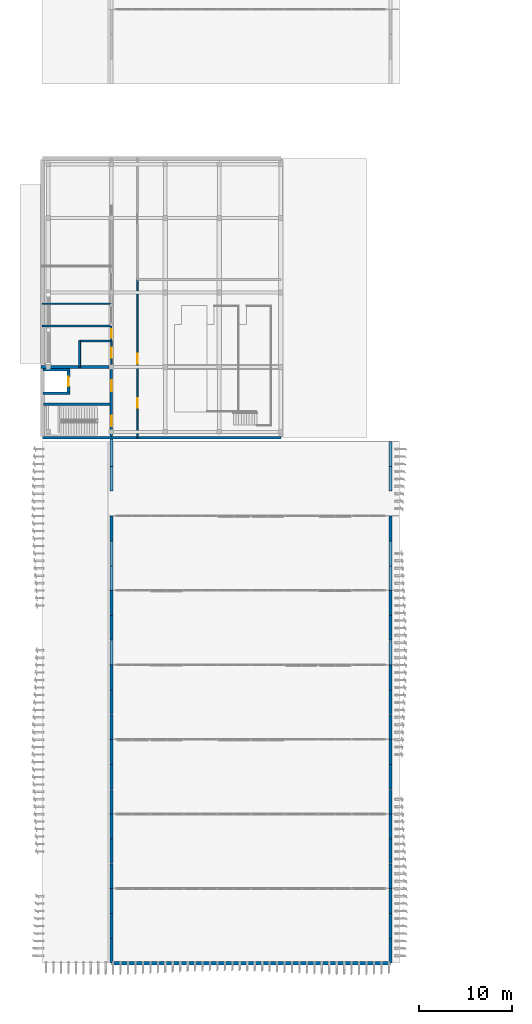
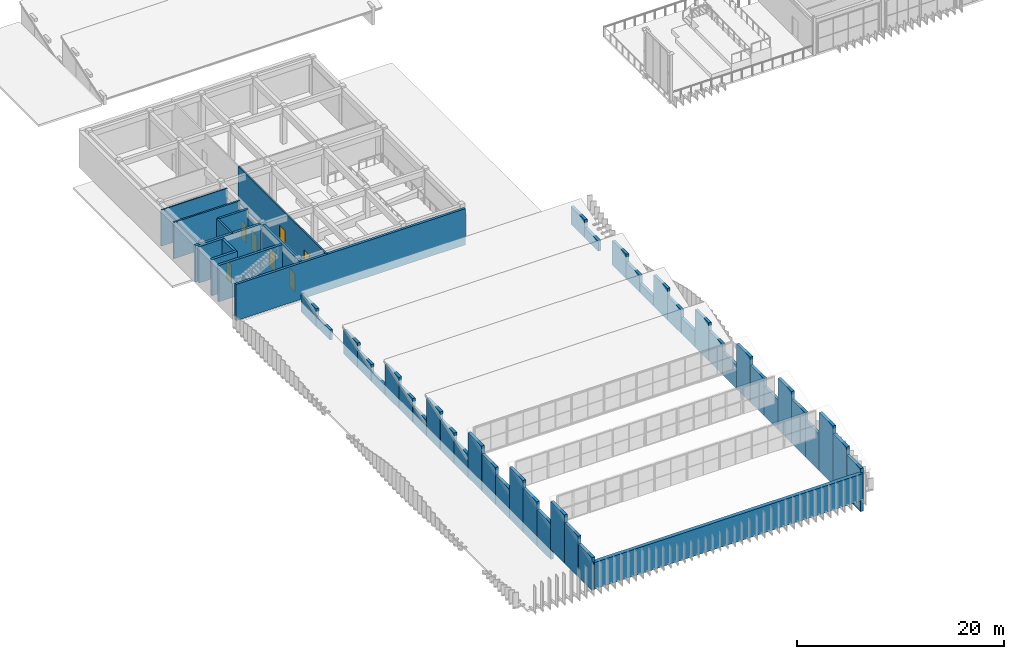
# One storey, part 27 of 45: 55 walls, 7 doors, 7 openings.
"""IFC4 building model written with IfcOpenShell, lengths in metres."""

import ifcopenshell
import ifcopenshell.guid

model = None  # the IFC model being written
_history = None  # IfcOwnerHistory: only IFC2X3 demands one
_inside = {}  # id of a spatial element -> (the spatial element, [elements in it])
_under = {}  # id of a project, library or spatial element -> (it, [spatial elements below it])
_declared = {}  # id of a project -> (the project, [libraries it declares])
_typed = {}  # id of a type object -> (the type object, [elements of that type])
_made_of = {}  # id of a material, layer set ... -> (it, [elements and type objects made of it])


def new_model(schema):
    """Start an empty IFC model of exactly this schema.

    Asked for "IFC4X3", IfcOpenShell would pick the latest addendum, in which some entities
    have other attributes; the version numbers below select the first issue.
    IFC2X3 requires an IfcOwnerHistory on every rooted entity: one is made here for all.
    """
    global model, _history
    if schema == "IFC4X3":
        model = ifcopenshell.file(schema_version=(4, 3, 0, 0))
    else:
        model = ifcopenshell.file(schema=schema)
    _inside.clear()
    _under.clear()
    _declared.clear()
    _typed.clear()
    _made_of.clear()
    _history = None
    if model.schema == "IFC2X3":
        org = make("IfcOrganization", Name="unknown")
        user = make(
            "IfcPersonAndOrganization",
            ThePerson=make("IfcPerson", FamilyName="unknown"),
            TheOrganization=org,
        )
        app = make(
            "IfcApplication",
            ApplicationDeveloper=org,
            Version="unknown",
            ApplicationFullName="unknown",
            ApplicationIdentifier="unknown",
        )
        _history = make(
            "IfcOwnerHistory",
            OwningUser=user,
            OwningApplication=app,
            ChangeAction="ADDED",
            CreationDate=0,
        )
    return model


def make(cls, **values):
    """One entity of the class cls with the attributes given. An attribute that is None is left unset."""
    return model.create_entity(
        cls, **{name: value for name, value in values.items() if value is not None}
    )


def rooted(cls, **values):
    """An entity with a GlobalId (a new one), such as an element, a storey or a relation."""
    return make(cls, GlobalId=ifcopenshell.guid.new(), OwnerHistory=_history, **values)


def si_unit(unit_type, name, prefix=None):
    """IfcSIUnit, for example si_unit("LENGTHUNIT", "METRE", prefix="MILLI")."""
    return make("IfcSIUnit", UnitType=unit_type, Prefix=prefix, Name=name)


def assignment(units):
    """IfcUnitAssignment: the units of a project."""
    return None if units is None else make("IfcUnitAssignment", Units=units)


def point(xyz):
    """IfcCartesianPoint."""
    return None if xyz is None else make("IfcCartesianPoint", Coordinates=xyz)


def direction(xyz):
    """IfcDirection."""
    return None if xyz is None else make("IfcDirection", DirectionRatios=xyz)


def frame(location, z_axis=None, x_axis=None):
    """IfcAxis2Placement3D, a coordinate frame: its origin and axes. An axis left out is left unset."""
    return make(
        "IfcAxis2Placement3D",
        Location=point(location),
        Axis=direction(z_axis),
        RefDirection=direction(x_axis),
    )


def frame_2d(location, x_axis=None):
    """IfcAxis2Placement2D, a coordinate frame in the plane: its origin and x axis."""
    return make(
        "IfcAxis2Placement2D", Location=point(location), RefDirection=direction(x_axis)
    )


def origin():
    """The frame at (0, 0, 0) with its axes left unset."""
    return frame((0.0, 0.0, 0.0))


def place(relative_to, where):
    """IfcLocalPlacement: puts the frame where relative to a parent placement (None: the world)."""
    return make(
        "IfcLocalPlacement", PlacementRelTo=relative_to, RelativePlacement=where
    )


def context(
    kind, dimensions, precision=None, world=None, true_north=None, identifier=None
):
    """IfcGeometricRepresentationContext, for example the 3D "Model" context."""
    return make(
        "IfcGeometricRepresentationContext",
        ContextIdentifier=identifier,
        ContextType=kind,
        CoordinateSpaceDimension=dimensions,
        Precision=precision,
        WorldCoordinateSystem=world,
        TrueNorth=true_north,
    )


def subcontext(parent, identifier, kind, view, scale=None):
    """IfcGeometricRepresentationSubContext, for example "Body" below "Model"."""
    return make(
        "IfcGeometricRepresentationSubContext",
        ContextIdentifier=identifier,
        ContextType=kind,
        ParentContext=parent,
        TargetScale=scale,
        TargetView=view,
    )


def project(units=None, contexts=None):
    """IfcProject with its units and contexts."""
    return rooted(
        "IfcProject",
        Name="project",
        RepresentationContexts=contexts,
        UnitsInContext=assignment(units),
    )


def spatial(cls, under=None, at=None, **own):
    """A site, building, storey or space (cls), placed at a placement, below another one or the project."""
    s = rooted(cls, ObjectPlacement=at, **own)
    if under is not None:
        _under.setdefault(under.id(), (under, []))[1].append(s)
    return s


def profile(cls, at=None, kind="AREA", **sizes):
    """A parametric profile (cls). Its sizes go by their IFC names, for example OverallWidth=200.0."""
    return make(cls, ProfileType=kind, Position=at, **sizes)


def rectangle(**sizes):
    """IfcRectangleProfileDef."""
    return profile("IfcRectangleProfileDef", **sizes)


def extrude(swept, where, along, depth):
    """IfcExtrudedAreaSolid: the profile swept, set in the frame where, extruded along a direction by depth."""
    return make(
        "IfcExtrudedAreaSolid",
        SweptArea=swept,
        Position=where,
        ExtrudedDirection=direction(along),
        Depth=depth,
    )


def shape(context_of_items, identifier, shape_type, items):
    """IfcShapeRepresentation: the items that make up one representation, for example the "Body"."""
    return make(
        "IfcShapeRepresentation",
        ContextOfItems=context_of_items,
        RepresentationIdentifier=identifier,
        RepresentationType=shape_type,
        Items=items,
    )


def material(Name=None, Category=None):
    """IfcMaterial."""
    return make("IfcMaterial", Name=Name, Category=Category)


def layer(
    of_material, thickness, ventilated=None, Name=None, Category=None, Priority=None
):
    """IfcMaterialLayer: one layer of a wall or slab, of a material (None: an air gap)."""
    return make(
        "IfcMaterialLayer",
        Material=of_material,
        LayerThickness=thickness,
        IsVentilated=ventilated,
        Name=Name,
        Category=Category,
        Priority=Priority,
    )


def layer_set(layers, Name=None):
    """IfcMaterialLayerSet."""
    return make("IfcMaterialLayerSet", MaterialLayers=layers, LayerSetName=Name)


def made_of(thing, what):
    """Note that an element or type object is made of a material, layer set ...; save() writes the relation."""
    if what is not None:
        _made_of.setdefault(what.id(), (what, []))[1].append(thing)
    return thing


def type_object(cls, material=None, **own):
    """A type object (cls), such as IfcWallType, which elements share."""
    return made_of(rooted(cls, **own), material)


def element(
    cls,
    number,
    at=None,
    inside=None,
    cuts=None,
    type_object=None,
    material=None,
    context=None,
    identifier="Body",
    shape_type=None,
    held_by="IfcProductDefinitionShape",
    body=None,
    shapes=None,
    **own,
):
    """One element of the class cls, such as IfcWall. Its Tag is "e" and its number.

    at: its placement. inside: the storey or other place that contains it. cuts: it is an
    opening in that element (IfcRelVoidsElement). A single representation is given by context,
    identifier, shape_type and body (its items); several are given by shapes. held_by: the class
    of the entity that holds the representations. save() writes the other relations.
    """
    e = rooted(cls, Tag="e%d" % number, ObjectPlacement=at, **own)
    if body is not None:
        shapes = [shape(context, identifier, shape_type, body)]
    if shapes is not None:
        e.Representation = make(held_by, Representations=shapes)
    if inside is not None:
        _inside.setdefault(inside.id(), (inside, []))[1].append(e)
    if cuts is not None:
        rooted(
            "IfcRelVoidsElement", RelatingBuildingElement=cuts, RelatedOpeningElement=e
        )
    if type_object is not None:
        _typed.setdefault(type_object.id(), (type_object, []))[1].append(e)
    return made_of(e, material)


def fill(opening, filler):
    """IfcRelFillsElement: the door or window that sits in an opening."""
    return rooted(
        "IfcRelFillsElement",
        RelatingOpeningElement=opening,
        RelatedBuildingElement=filler,
    )


def aggregate(whole, parts):
    """IfcRelAggregates: a whole, such as a stair, and the parts it consists of."""
    return rooted("IfcRelAggregates", RelatingObject=whole, RelatedObjects=parts)


def save(model, path):
    """Write the relations noted so far, then the file.

    IfcRelAggregates (storeys below a building ...), IfcRelContainedInSpatialStructure (elements
    in a storey), IfcRelDefinesByType, IfcRelAssociatesMaterial and IfcRelDeclares: one each for
    every whole, place, type object, material and project.
    """
    for whole, parts in _under.values():
        aggregate(whole, parts)
    for where, things in _inside.values():
        rooted(
            "IfcRelContainedInSpatialStructure",
            RelatedElements=things,
            RelatingStructure=where,
        )
    for kind, things in _typed.values():
        rooted("IfcRelDefinesByType", RelatedObjects=things, RelatingType=kind)
    for what, things in _made_of.values():
        rooted("IfcRelAssociatesMaterial", RelatedObjects=things, RelatingMaterial=what)
    for by, libraries in _declared.values():
        rooted("IfcRelDeclares", RelatingContext=by, RelatedDefinitions=libraries)
    model.write(path)


model = new_model("IFC4")

# Units and contexts
model_context = context("Model", 3, precision=1e-05, world=origin(), true_north=direction((0.0, 1.0)))
body_context = subcontext(model_context, "Body", "Model", "MODEL_VIEW")
ifc_project = project(units=[si_unit("LENGTHUNIT", "METRE"), si_unit("AREAUNIT", "SQUARE_METRE"), si_unit("VOLUMEUNIT", "CUBIC_METRE"), si_unit("PLANEANGLEUNIT", "RADIAN"), si_unit("MASSUNIT", "GRAM", prefix="KILO")], contexts=[model_context])

# Site, building, storey
site_placement = place(None, origin())
site = spatial("IfcSite", under=ifc_project, at=site_placement, CompositionType="ELEMENT")
building_placement = place(site_placement, origin())
building = spatial("IfcBuilding", under=site, at=building_placement, Name="Cinchona Park Media Centre", CompositionType="ELEMENT")
storey_placement = place(building_placement, frame((0.0, 0.0, 20.39990234375)))
storey = spatial("IfcBuildingStorey", under=building, at=storey_placement, Name="L04", CompositionType="ELEMENT", Elevation=20.39990234375)

# Walls
ifc_material_1 = material(Name="Precast concrete C40/50", Category="concrete")
ifc_layer_1 = layer(ifc_material_1, 0.425048828125)
ifc_layer_set_1 = layer_set([ifc_layer_1], Name="Precast concrete C40/50")
wall_type_1 = type_object("IfcWallType", Name="WALL-W-AC01", PredefinedType="SOLIDWALL", material=ifc_layer_set_1)
wall_1_placement = place(storey_placement, frame((15.39990234375, 7.60009765625, 0.0), z_axis=(0.0, 0.0, 1.0), x_axis=(1.0, 0.0, 0.0)))
element("IfcWall", 1, at=wall_1_placement, inside=storey, type_object=wall_type_1, Name="South Park Sawtooth Crest Fascia Wall V1", PredefinedType="SOLIDWALL", context=body_context, shape_type="SweptSolid", body=[
    extrude(rectangle(XDim=29.960205078125, YDim=0.425048828125, at=frame_2d((14.97998046875, 0.0))), origin(), (0.0, 0.0, 1.0), 3.150146484375),
])
ifc_material_2 = material(Name="Acoustic Double-Stud Gypsum Partition", Category="gypsum")
ifc_layer_2 = layer(ifc_material_2, 0.2099609375)
ifc_layer_set_2 = layer_set([ifc_layer_2], Name="Acoustic Double-Stud Gypsum Partition")
wall_type_2 = type_object("IfcWallType", Name="WALL-W-AC210", PredefinedType="PARTITIONING", material=ifc_layer_set_2)
wall_2_placement = place(storey_placement, frame((12.0, 71.60009765625, 0.0), z_axis=(0.0, 0.0, 1.0), x_axis=(0.0, 1.0, 0.0)))
element("IfcWall", 2, at=wall_2_placement, inside=storey, type_object=wall_type_2, Name="Interior Wall W-AC210 L04", PredefinedType="PARTITIONING", context=body_context, shape_type="SweptSolid", body=[
    extrude(rectangle(XDim=2.7998046875, YDim=0.2099609375, at=frame_2d((1.39990234375, 0.0))), origin(), (0.0, 0.0, 1.0), 4.280029296875),
])
ifc_material_3 = material(Name="Acoustic Double-Stud Gypsum Partition", Category="gypsum")
ifc_layer_3 = layer(ifc_material_3, 0.239990234375)
ifc_layer_set_3 = layer_set([ifc_layer_3], Name="Acoustic Double-Stud Gypsum Partition")
wall_type_3 = type_object("IfcWallType", Name="WALL-W-AC240", PredefinedType="PARTITIONING", material=ifc_layer_set_3)
wall_3_placement = place(storey_placement, frame((12.0, 74.39990234375, 0.0), z_axis=(0.0, 0.0, 1.0), x_axis=(1.0, 0.0, 0.0)))
element("IfcWall", 3, at=wall_3_placement, inside=storey, type_object=wall_type_3, Name="Interior Wall W-AC240 L04", PredefinedType="PARTITIONING", context=body_context, shape_type="SweptSolid", body=[
    extrude(rectangle(XDim=3.39990234375, YDim=0.239990234375, at=frame_2d((1.699951171875, 0.0))), origin(), (0.0, 0.0, 1.0), 4.280029296875),
])
ifc_material_4 = material(Name="Precast concrete C40/50", Category="concrete")
ifc_layer_4 = layer(ifc_material_4, 0.320068359375)
ifc_layer_set_4 = layer_set([ifc_layer_4], Name="Precast concrete C40/50")
wall_type_4 = type_object("IfcWallType", Name="WALL-W-EX02", PredefinedType="SOLIDWALL", material=ifc_layer_set_4)
wall_4_placement = place(storey_placement, frame((15.39990234375, 7.60009765625, -0.239990234375), z_axis=(0.0, 0.0, 1.0), x_axis=(0.0, 1.0, 0.0)))
element("IfcWall", 4, at=wall_4_placement, inside=storey, type_object=wall_type_4, Name="Sawtooth Gable Wall V1 Bay 1 West", PredefinedType="SOLIDWALL", context=body_context, shape_type="SweptSolid", body=[
    extrude(rectangle(XDim=2.65185546875, YDim=0.320068359375, at=frame_2d((1.325927734375, 0.0))), origin(), (0.0, 0.0, 1.0), 3.880126953125),
])
wall_5_placement = place(storey_placement, frame((45.360107421875, 7.60009765625, -1.43994140625), z_axis=(0.0, 0.0, 1.0), x_axis=(0.0, 1.0, 0.0)))
element("IfcWall", 5, at=wall_5_placement, inside=storey, type_object=wall_type_4, Name="Sawtooth Gable Wall V1 Bay 1 East", PredefinedType="SOLIDWALL", context=body_context, shape_type="SweptSolid", body=[
    extrude(rectangle(XDim=2.65185546875, YDim=0.320068359375, at=frame_2d((1.325927734375, 0.0))), origin(), (0.0, 0.0, 1.0), 5.080078125),
])
wall_6_placement = place(storey_placement, frame((15.39990234375, 10.281982421875, -0.239990234375), z_axis=(0.0, 0.0, 1.0), x_axis=(0.0, 1.0, 0.0)))
element("IfcWall", 6, at=wall_6_placement, inside=storey, type_object=wall_type_4, Name="Sawtooth Gable Wall V1 Bay 1 West", PredefinedType="SOLIDWALL", context=body_context, shape_type="SweptSolid", body=[
    extrude(rectangle(XDim=2.635986328125, YDim=0.320068359375, at=frame_2d((1.31787109375, 0.0))), origin(), (0.0, 0.0, 1.0), 4.780029296875),
])
wall_7_placement = place(storey_placement, frame((45.360107421875, 10.281982421875, -1.43994140625), z_axis=(0.0, 0.0, 1.0), x_axis=(0.0, 1.0, 0.0)))
element("IfcWall", 7, at=wall_7_placement, inside=storey, type_object=wall_type_4, Name="Sawtooth Gable Wall V1 Bay 1 East", PredefinedType="SOLIDWALL", context=body_context, shape_type="SweptSolid", body=[
    extrude(rectangle(XDim=2.635986328125, YDim=0.320068359375, at=frame_2d((1.31787109375, 0.0))), origin(), (0.0, 0.0, 1.0), 5.97998046875),
])
wall_8_placement = place(storey_placement, frame((15.39990234375, 12.947998046875, -0.239990234375), z_axis=(0.0, 0.0, 1.0), x_axis=(0.0, 1.0, 0.0)))
element("IfcWall", 8, at=wall_8_placement, inside=storey, type_object=wall_type_4, Name="Sawtooth Gable Wall V1 Bay 1 West", PredefinedType="SOLIDWALL", context=body_context, shape_type="SweptSolid", body=[
    extrude(rectangle(XDim=2.652099609375, YDim=0.320068359375, at=frame_2d((1.326171875, 0.0))), origin(), (0.0, 0.0, 1.0), 5.68017578125),
])
wall_9_placement = place(storey_placement, frame((45.360107421875, 12.947998046875, -1.43994140625), z_axis=(0.0, 0.0, 1.0), x_axis=(0.0, 1.0, 0.0)))
element("IfcWall", 9, at=wall_9_placement, inside=storey, type_object=wall_type_4, Name="Sawtooth Gable Wall V1 Bay 1 East", PredefinedType="SOLIDWALL", context=body_context, shape_type="SweptSolid", body=[
    extrude(rectangle(XDim=2.652099609375, YDim=0.320068359375, at=frame_2d((1.326171875, 0.0))), origin(), (0.0, 0.0, 1.0), 6.880126953125),
])
for number, where, z_axis, x_axis, name in (
    (10, (15.39990234375, 15.60009765625, -1.43994140625), (0.0, 0.0, 1.0), (0.0, 1.0, 0.0), "Sawtooth Gable Wall V1 Bay 2 West"),
    (11, (45.360107421875, 15.60009765625, -1.43994140625), (0.0, 0.0, 1.0), (0.0, 1.0, 0.0), "Sawtooth Gable Wall V1 Bay 2 East"),
):
    element("IfcWall", number, at=place(storey_placement, frame(where, z_axis=z_axis, x_axis=x_axis)), inside=storey, type_object=wall_type_4, Name=name, PredefinedType="SOLIDWALL", context=body_context, shape_type="SweptSolid", body=[
        extrude(rectangle(XDim=2.65185546875, YDim=0.320068359375, at=frame_2d((1.325927734375, 0.0))), origin(), (0.0, 0.0, 1.0), 4.280029296875),
    ])
for number, where, z_axis, x_axis, name in (
    (12, (15.39990234375, 18.281982421875, -1.43994140625), (0.0, 0.0, 1.0), (0.0, 1.0, 0.0), "Sawtooth Gable Wall V1 Bay 2 West"),
    (13, (45.360107421875, 18.281982421875, -1.43994140625), (0.0, 0.0, 1.0), (0.0, 1.0, 0.0), "Sawtooth Gable Wall V1 Bay 2 East"),
):
    element("IfcWall", number, at=place(storey_placement, frame(where, z_axis=z_axis, x_axis=x_axis)), inside=storey, type_object=wall_type_4, Name=name, PredefinedType="SOLIDWALL", context=body_context, shape_type="SweptSolid", body=[
        extrude(rectangle(XDim=2.635986328125, YDim=0.320068359375, at=frame_2d((1.31787109375, 0.0))), origin(), (0.0, 0.0, 1.0), 5.179931640625),
    ])
for number, where, z_axis, x_axis, name in (
    (14, (15.39990234375, 20.947998046875, -1.43994140625), (0.0, 0.0, 1.0), (0.0, 1.0, 0.0), "Sawtooth Gable Wall V1 Bay 2 West"),
    (15, (45.360107421875, 20.947998046875, -1.43994140625), (0.0, 0.0, 1.0), (0.0, 1.0, 0.0), "Sawtooth Gable Wall V1 Bay 2 East"),
):
    element("IfcWall", number, at=place(storey_placement, frame(where, z_axis=z_axis, x_axis=x_axis)), inside=storey, type_object=wall_type_4, Name=name, PredefinedType="SOLIDWALL", context=body_context, shape_type="SweptSolid", body=[
        extrude(rectangle(XDim=2.652099609375, YDim=0.320068359375, at=frame_2d((1.326171875, 0.0))), origin(), (0.0, 0.0, 1.0), 6.080078125),
    ])
for number, where, z_axis, x_axis, name in (
    (16, (15.39990234375, 23.60009765625, -1.43994140625), (0.0, 0.0, 1.0), (0.0, 1.0, 0.0), "Sawtooth Gable Wall V1 Bay 3 West"),
    (17, (45.360107421875, 23.60009765625, -1.43994140625), (0.0, 0.0, 1.0), (0.0, 1.0, 0.0), "Sawtooth Gable Wall V1 Bay 3 East"),
):
    element("IfcWall", number, at=place(storey_placement, frame(where, z_axis=z_axis, x_axis=x_axis)), inside=storey, type_object=wall_type_4, Name=name, PredefinedType="SOLIDWALL", context=body_context, shape_type="SweptSolid", body=[
        extrude(rectangle(XDim=2.65185546875, YDim=0.320068359375, at=frame_2d((1.325927734375, 0.0))), origin(), (0.0, 0.0, 1.0), 3.47998046875),
    ])
for number, where, z_axis, x_axis, name in (
    (18, (15.39990234375, 26.281982421875, -1.43994140625), (0.0, 0.0, 1.0), (0.0, 1.0, 0.0), "Sawtooth Gable Wall V1 Bay 3 West"),
    (19, (45.360107421875, 26.281982421875, -1.43994140625), (0.0, 0.0, 1.0), (0.0, 1.0, 0.0), "Sawtooth Gable Wall V1 Bay 3 East"),
):
    element("IfcWall", number, at=place(storey_placement, frame(where, z_axis=z_axis, x_axis=x_axis)), inside=storey, type_object=wall_type_4, Name=name, PredefinedType="SOLIDWALL", context=body_context, shape_type="SweptSolid", body=[
        extrude(rectangle(XDim=2.635986328125, YDim=0.320068359375, at=frame_2d((1.31787109375, 0.0))), origin(), (0.0, 0.0, 1.0), 4.380126953125),
    ])
for number, where, z_axis, x_axis, name in (
    (20, (15.39990234375, 28.947998046875, -1.43994140625), (0.0, 0.0, 1.0), (0.0, 1.0, 0.0), "Sawtooth Gable Wall V1 Bay 3 West"),
    (21, (45.360107421875, 28.947998046875, -1.43994140625), (0.0, 0.0, 1.0), (0.0, 1.0, 0.0), "Sawtooth Gable Wall V1 Bay 3 East"),
):
    element("IfcWall", number, at=place(storey_placement, frame(where, z_axis=z_axis, x_axis=x_axis)), inside=storey, type_object=wall_type_4, Name=name, PredefinedType="SOLIDWALL", context=body_context, shape_type="SweptSolid", body=[
        extrude(rectangle(XDim=2.652099609375, YDim=0.320068359375, at=frame_2d((1.326171875, 0.0))), origin(), (0.0, 0.0, 1.0), 5.280029296875),
    ])
for number, where, z_axis, x_axis, name in (
    (22, (15.39990234375, 31.60009765625, -1.43994140625), (0.0, 0.0, 1.0), (0.0, 1.0, 0.0), "Sawtooth Gable Wall V1 Bay 4 West"),
    (23, (45.360107421875, 31.60009765625, -1.43994140625), (0.0, 0.0, 1.0), (0.0, 1.0, 0.0), "Sawtooth Gable Wall V1 Bay 4 East"),
):
    element("IfcWall", number, at=place(storey_placement, frame(where, z_axis=z_axis, x_axis=x_axis)), inside=storey, type_object=wall_type_4, Name=name, PredefinedType="SOLIDWALL", context=body_context, shape_type="SweptSolid", body=[
        extrude(rectangle(XDim=2.65185546875, YDim=0.320068359375, at=frame_2d((1.325927734375, 0.0))), origin(), (0.0, 0.0, 1.0), 2.679931640625),
    ])
for number, where, z_axis, x_axis, name in (
    (24, (15.39990234375, 34.281982421875, -1.43994140625), (0.0, 0.0, 1.0), (0.0, 1.0, 0.0), "Sawtooth Gable Wall V1 Bay 4 West"),
    (25, (45.360107421875, 34.281982421875, -1.43994140625), (0.0, 0.0, 1.0), (0.0, 1.0, 0.0), "Sawtooth Gable Wall V1 Bay 4 East"),
):
    element("IfcWall", number, at=place(storey_placement, frame(where, z_axis=z_axis, x_axis=x_axis)), inside=storey, type_object=wall_type_4, Name=name, PredefinedType="SOLIDWALL", context=body_context, shape_type="SweptSolid", body=[
        extrude(rectangle(XDim=2.635986328125, YDim=0.320068359375, at=frame_2d((1.31787109375, 0.0))), origin(), (0.0, 0.0, 1.0), 3.580078125),
    ])
for number, where, z_axis, x_axis, name in (
    (26, (15.39990234375, 36.947998046875, -1.43994140625), (0.0, 0.0, 1.0), (0.0, 1.0, 0.0), "Sawtooth Gable Wall V1 Bay 4 West"),
    (27, (45.360107421875, 36.947998046875, -1.43994140625), (0.0, 0.0, 1.0), (0.0, 1.0, 0.0), "Sawtooth Gable Wall V1 Bay 4 East"),
):
    element("IfcWall", number, at=place(storey_placement, frame(where, z_axis=z_axis, x_axis=x_axis)), inside=storey, type_object=wall_type_4, Name=name, PredefinedType="SOLIDWALL", context=body_context, shape_type="SweptSolid", body=[
        extrude(rectangle(XDim=2.652099609375, YDim=0.320068359375, at=frame_2d((1.326171875, 0.0))), origin(), (0.0, 0.0, 1.0), 4.47998046875),
    ])
for number, where, z_axis, x_axis, name in (
    (28, (15.39990234375, 39.60009765625, -1.43994140625), (0.0, 0.0, 1.0), (0.0, 1.0, 0.0), "Sawtooth Gable Wall V1 Bay 5 West"),
    (29, (45.360107421875, 39.60009765625, -1.43994140625), (0.0, 0.0, 1.0), (0.0, 1.0, 0.0), "Sawtooth Gable Wall V1 Bay 5 East"),
):
    element("IfcWall", number, at=place(storey_placement, frame(where, z_axis=z_axis, x_axis=x_axis)), inside=storey, type_object=wall_type_4, Name=name, PredefinedType="SOLIDWALL", context=body_context, shape_type="SweptSolid", body=[
        extrude(rectangle(XDim=2.65185546875, YDim=0.320068359375, at=frame_2d((1.325927734375, 0.0))), origin(), (0.0, 0.0, 1.0), 1.880126953125),
    ])
for number, where, z_axis, x_axis, name in (
    (30, (15.39990234375, 42.281982421875, -1.43994140625), (0.0, 0.0, 1.0), (0.0, 1.0, 0.0), "Sawtooth Gable Wall V1 Bay 5 West"),
    (31, (45.360107421875, 42.281982421875, -1.43994140625), (0.0, 0.0, 1.0), (0.0, 1.0, 0.0), "Sawtooth Gable Wall V1 Bay 5 East"),
):
    element("IfcWall", number, at=place(storey_placement, frame(where, z_axis=z_axis, x_axis=x_axis)), inside=storey, type_object=wall_type_4, Name=name, PredefinedType="SOLIDWALL", context=body_context, shape_type="SweptSolid", body=[
        extrude(rectangle(XDim=2.635986328125, YDim=0.320068359375, at=frame_2d((1.31787109375, 0.0))), origin(), (0.0, 0.0, 1.0), 2.780029296875),
    ])
for number, where, z_axis, x_axis, name in (
    (32, (15.39990234375, 44.947998046875, -1.43994140625), (0.0, 0.0, 1.0), (0.0, 1.0, 0.0), "Sawtooth Gable Wall V1 Bay 5 West"),
    (33, (45.360107421875, 44.947998046875, -1.43994140625), (0.0, 0.0, 1.0), (0.0, 1.0, 0.0), "Sawtooth Gable Wall V1 Bay 5 East"),
):
    element("IfcWall", number, at=place(storey_placement, frame(where, z_axis=z_axis, x_axis=x_axis)), inside=storey, type_object=wall_type_4, Name=name, PredefinedType="SOLIDWALL", context=body_context, shape_type="SweptSolid", body=[
        extrude(rectangle(XDim=2.652099609375, YDim=0.320068359375, at=frame_2d((1.326171875, 0.0))), origin(), (0.0, 0.0, 1.0), 3.679931640625),
    ])
for number, where, z_axis, x_axis, name in (
    (34, (15.39990234375, 47.60009765625, -1.43994140625), (0.0, 0.0, 1.0), (0.0, 1.0, 0.0), "Sawtooth Gable Wall V1 Bay 6 West"),
    (35, (45.360107421875, 47.60009765625, -1.43994140625), (0.0, 0.0, 1.0), (0.0, 1.0, 0.0), "Sawtooth Gable Wall V1 Bay 6 East"),
):
    element("IfcWall", number, at=place(storey_placement, frame(where, z_axis=z_axis, x_axis=x_axis)), inside=storey, type_object=wall_type_4, Name=name, PredefinedType="SOLIDWALL", context=body_context, shape_type="SweptSolid", body=[
        extrude(rectangle(XDim=2.65185546875, YDim=0.320068359375, at=frame_2d((1.325927734375, 0.0))), origin(), (0.0, 0.0, 1.0), 1.080078125),
    ])
for number, where, z_axis, x_axis, name in (
    (36, (15.39990234375, 50.281982421875, -1.43994140625), (0.0, 0.0, 1.0), (0.0, 1.0, 0.0), "Sawtooth Gable Wall V1 Bay 6 West"),
    (37, (45.360107421875, 50.281982421875, -1.43994140625), (0.0, 0.0, 1.0), (0.0, 1.0, 0.0), "Sawtooth Gable Wall V1 Bay 6 East"),
):
    element("IfcWall", number, at=place(storey_placement, frame(where, z_axis=z_axis, x_axis=x_axis)), inside=storey, type_object=wall_type_4, Name=name, PredefinedType="SOLIDWALL", context=body_context, shape_type="SweptSolid", body=[
        extrude(rectangle(XDim=2.635986328125, YDim=0.320068359375, at=frame_2d((1.31787109375, 0.0))), origin(), (0.0, 0.0, 1.0), 1.97998046875),
    ])
for number, where, z_axis, x_axis, name in (
    (38, (15.39990234375, 52.947998046875, -1.43994140625), (0.0, 0.0, 1.0), (0.0, 1.0, 0.0), "Sawtooth Gable Wall V1 Bay 6 West"),
    (39, (45.360107421875, 52.947998046875, -1.43994140625), (0.0, 0.0, 1.0), (0.0, 1.0, 0.0), "Sawtooth Gable Wall V1 Bay 6 East"),
):
    element("IfcWall", number, at=place(storey_placement, frame(where, z_axis=z_axis, x_axis=x_axis)), inside=storey, type_object=wall_type_4, Name=name, PredefinedType="SOLIDWALL", context=body_context, shape_type="SweptSolid", body=[
        extrude(rectangle(XDim=2.652099609375, YDim=0.320068359375, at=frame_2d((1.326171875, 0.0))), origin(), (0.0, 0.0, 1.0), 2.880126953125),
    ])
for number, where, z_axis, x_axis, name in (
    (40, (15.39990234375, 58.281982421875, -1.43994140625), (0.0, 0.0, 1.0), (0.0, 1.0, 0.0), "Sawtooth Gable Wall V1 Bay 7 West"),
    (41, (45.360107421875, 58.281982421875, -1.43994140625), (0.0, 0.0, 1.0), (0.0, 1.0, 0.0), "Sawtooth Gable Wall V1 Bay 7 East"),
):
    element("IfcWall", number, at=place(storey_placement, frame(where, z_axis=z_axis, x_axis=x_axis)), inside=storey, type_object=wall_type_4, Name=name, PredefinedType="SOLIDWALL", context=body_context, shape_type="SweptSolid", body=[
        extrude(rectangle(XDim=2.635986328125, YDim=0.320068359375, at=frame_2d((1.31787109375, 0.0))), origin(), (0.0, 0.0, 1.0), 1.179931640625),
    ])
wall_10_placement = place(storey_placement, frame((15.39990234375, 60.947998046875, -1.43994140625), z_axis=(0.0, 0.0, 1.0), x_axis=(0.0, 1.0, 0.0)))
element("IfcWall", 42, at=wall_10_placement, inside=storey, type_object=wall_type_4, Name="Sawtooth Gable Wall V1 Bay 7 West", PredefinedType="SOLIDWALL", context=body_context, shape_type="SweptSolid", body=[
    extrude(rectangle(XDim=2.909912109375, YDim=0.320068359375, at=frame_2d((1.455078125, 0.0))), origin(), (0.0, 0.0, 1.0), 2.080078125),
])
wall_11_placement = place(storey_placement, frame((45.360107421875, 60.947998046875, -1.43994140625), z_axis=(0.0, 0.0, 1.0), x_axis=(0.0, 1.0, 0.0)))
element("IfcWall", 43, at=wall_11_placement, inside=storey, type_object=wall_type_4, Name="Sawtooth Gable Wall V1 Bay 7 East", PredefinedType="SOLIDWALL", context=body_context, shape_type="SweptSolid", body=[
    extrude(rectangle(XDim=2.652099609375, YDim=0.320068359375, at=frame_2d((1.326171875, 0.0))), origin(), (0.0, 0.0, 1.0), 2.080078125),
])
ifc_material_5 = material(Name="Precast concrete C40/50", Category="concrete")
ifc_layer_5 = layer(ifc_material_5, 0.27490234375)
ifc_layer_set_5 = layer_set([ifc_layer_5], Name="Precast concrete C40/50")
wall_type_5 = type_object("IfcWallType", Name="WALL-W-EX03", PredefinedType="SOLIDWALL", material=ifc_layer_set_5)
wall_12_placement = place(storey_placement, frame((33.60009765625, 64.0, 0.0), z_axis=(0.0, 0.0, 1.0), x_axis=(-1.0, 0.0, 0.0)))
element("IfcWall", 44, at=wall_12_placement, inside=storey, type_object=wall_type_5, Name="Exterior Wall W-EX03 V4 L04", PredefinedType="SOLIDWALL", context=body_context, shape_type="SweptSolid", body=[
    extrude(rectangle(XDim=25.60009765625, YDim=0.27490234375, at=frame_2d((12.800048828125, 0.0))), origin(), (0.0, 0.0, 1.0), 4.280029296875),
])
ifc_material_6 = material(Name="Gypsum Metal-Stud Partition", Category="gypsum")
ifc_layer_6 = layer(ifc_material_6, 0.114990234375)
ifc_layer_set_6 = layer_set([ifc_layer_6], Name="Gypsum Metal-Stud Partition")
wall_type_6 = type_object("IfcWallType", Name="WALL-W-PT115", PredefinedType="PARTITIONING", material=ifc_layer_set_6)
wall_13_placement = place(storey_placement, frame((8.0, 78.39990234375, 0.0), z_axis=(0.0, 0.0, 1.0), x_axis=(1.0, 0.0, 0.0)))
element("IfcWall", 45, at=wall_13_placement, inside=storey, type_object=wall_type_6, Name="Interior Wall W-PT115 L04", PredefinedType="PARTITIONING", context=body_context, shape_type="SweptSolid", body=[
    extrude(rectangle(XDim=7.39990234375, YDim=0.114990234375, at=frame_2d((3.699951171875, 0.0))), origin(), (0.0, 0.0, 1.0), 4.280029296875),
])

# Wall, opening, door
ifc_material_7 = material(Name="Fire-Rated Gypsum Stud Partition", Category="gypsum")
ifc_layer_7 = layer(ifc_material_7, 0.14990234375)
ifc_layer_set_7 = layer_set([ifc_layer_7], Name="Fire-Rated Gypsum Stud Partition")
wall_type_7 = type_object("IfcWallType", Name="WALL-W-PT150", PredefinedType="PARTITIONING", material=ifc_layer_set_7)
wall_14_placement = place(storey_placement, frame((15.39990234375, 74.39990234375, 0.0), z_axis=(0.0, 0.0, 1.0), x_axis=(0.0, 1.0, 0.0)))
wall_14 = element("IfcWall", 46, at=wall_14_placement, inside=storey, type_object=wall_type_7, Name="Interior Wall W-PT150 L04", PredefinedType="PARTITIONING", context=body_context, shape_type="SweptSolid", body=[
    extrude(rectangle(XDim=1.60009765625, YDim=0.14990234375, at=frame_2d((0.800048828125, 0.0))), origin(), (0.0, 0.0, 1.0), 3.43017578125),
])
opening_1_placement = place(wall_14_placement, frame((0.330078125, 0.0, 0.0)))
opening_1 = element("IfcOpeningElement", 47, at=opening_1_placement, cuts=wall_14, Name="Opening D334", PredefinedType="OPENING", context=body_context, shape_type="SweptSolid", body=[
    extrude(rectangle(XDim=0.93994140625, YDim=2.14990234375, at=frame_2d((0.469970703125, 1.074951171875))), frame((0.0, 0.0849609375, 0.0), z_axis=(0.0, -1.0, 0.0), x_axis=(1.0, 0.0, 0.0)), (0.0, 0.0, 1.0), 0.169921875),
])
ifc_material_8 = material(Name="Fire-Rated Acoustic Timber-Steel Door", Category="steel")
door_type_1 = type_object("IfcDoorType", Name="DOOR-DT24", OperationType="NOTDEFINED", PredefinedType="DOOR", material=ifc_material_8)
door_1_placement = place(opening_1_placement, origin())
door_1 = element("IfcDoor", 48, at=door_1_placement, inside=storey, type_object=door_type_1, Name="Interior Door D334", OperationType="SINGLE_SWING_RIGHT", OverallHeight=2.14990234375, OverallWidth=0.93994140625, PredefinedType="DOOR", context=body_context, shape_type="SweptSolid", body=[
    extrude(rectangle(XDim=0.93994140625, YDim=2.14990234375, at=frame_2d((0.469970703125, 1.074951171875))), frame((0.0, 0.02490234375, 0.0), z_axis=(0.0, -1.0, 0.0), x_axis=(1.0, 0.0, 0.0)), (0.0, 0.0, 1.0), 0.050048828125),
])
fill(opening_1, door_1)

ifc_material_9 = material(Name="Fire-Rated Gypsum Stud Partition", Category="gypsum")
ifc_layer_8 = layer(ifc_material_9, 0.1650390625)
ifc_layer_set_8 = layer_set([ifc_layer_8], Name="Fire-Rated Gypsum Stud Partition")
wall_type_8 = type_object("IfcWallType", Name="WALL-W-PT165", PredefinedType="PARTITIONING", material=ifc_layer_set_8)
wall_15_placement = place(storey_placement, frame((15.39990234375, 71.85205078125, 0.0), z_axis=(0.0, 0.0, 1.0), x_axis=(0.0, 1.0, 0.0)))
wall_15 = element("IfcWall", 49, at=wall_15_placement, inside=storey, type_object=wall_type_8, Name="Interior Wall W-PT165 L04", PredefinedType="PARTITIONING", context=body_context, shape_type="SweptSolid", body=[
    extrude(rectangle(XDim=2.5478515625, YDim=0.1650390625, at=frame_2d((1.27392578125, 0.0))), origin(), (0.0, 0.0, 1.0), 3.43017578125),
])
opening_2_placement = place(wall_15_placement, frame((0.7490234375, 0.0, 0.0)))
opening_2 = element("IfcOpeningElement", 50, at=opening_2_placement, cuts=wall_15, Name="Opening D333", PredefinedType="OPENING", context=body_context, shape_type="SweptSolid", body=[
    extrude(rectangle(XDim=1.050048828125, YDim=2.14990234375, at=frame_2d((0.52490234375, 1.074951171875))), frame((0.0, 0.092529296875, 0.0), z_axis=(0.0, -1.0, 0.0), x_axis=(1.0, 0.0, 0.0)), (0.0, 0.0, 1.0), 0.18505859375),
])
ifc_material_10 = material(Name="Solid-Core Timber Acoustic Door", Category="wood")
door_type_2 = type_object("IfcDoorType", Name="DOOR-DT06", OperationType="NOTDEFINED", PredefinedType="DOOR", material=ifc_material_10)
door_2_placement = place(opening_2_placement, origin())
door_2 = element("IfcDoor", 51, at=door_2_placement, inside=storey, type_object=door_type_2, Name="Interior Door D333", OperationType="SINGLE_SWING_LEFT", OverallHeight=2.14990234375, OverallWidth=1.050048828125, PredefinedType="DOOR", context=body_context, shape_type="SweptSolid", body=[
    extrude(rectangle(XDim=1.050048828125, YDim=2.14990234375, at=frame_2d((0.52490234375, 1.074951171875))), frame((0.0, 0.02490234375, 0.0), z_axis=(0.0, -1.0, 0.0), x_axis=(1.0, 0.0, 0.0)), (0.0, 0.0, 1.0), 0.050048828125),
])
fill(opening_2, door_2)

# Wall, openings, doors
wall_16_placement = place(storey_placement, frame((18.199951171875, 81.0, 0.0), z_axis=(0.0, 0.0, 1.0), x_axis=(0.0, -1.0, 0.0)))
wall_16 = element("IfcWall", 52, at=wall_16_placement, inside=storey, type_object=wall_type_8, Name="Interior Wall W-PT165 L04", PredefinedType="PARTITIONING", context=body_context, shape_type="SweptSolid", body=[
    extrude(rectangle(XDim=17.0, YDim=0.1650390625, at=frame_2d((8.5, 0.0))), origin(), (0.0, 0.0, 1.0), 4.280029296875),
])
opening_3_placement = place(wall_16_placement, frame((7.97998046875, 0.0, 0.0)))
opening_3 = element("IfcOpeningElement", 53, at=opening_3_placement, cuts=wall_16, Name="Opening D338", PredefinedType="OPENING", context=body_context, shape_type="SweptSolid", body=[
    extrude(rectangle(XDim=1.0400390625, YDim=2.199951171875, at=frame_2d((0.52001953125, 1.10009765625))), frame((0.0, 0.092529296875, 0.0), z_axis=(0.0, -1.0, 0.0), x_axis=(1.0, 0.0, 0.0)), (0.0, 0.0, 1.0), 0.18505859375),
])
opening_4_placement = place(wall_16_placement, frame((12.739990234375, 0.0, 0.0)))
opening_4 = element("IfcOpeningElement", 54, at=opening_4_placement, cuts=wall_16, Name="Opening D339", PredefinedType="OPENING", context=body_context, shape_type="SweptSolid", body=[
    extrude(rectangle(XDim=1.0400390625, YDim=2.199951171875, at=frame_2d((0.52001953125, 1.10009765625))), frame((0.0, 0.092529296875, 0.0), z_axis=(0.0, -1.0, 0.0), x_axis=(1.0, 0.0, 0.0)), (0.0, 0.0, 1.0), 0.18505859375),
])
ifc_material_11 = material(Name="Fire-Rated Acoustic Timber-Steel Door", Category="steel")
door_type_3 = type_object("IfcDoorType", Name="DOOR-DT25", OperationType="NOTDEFINED", PredefinedType="DOOR", material=ifc_material_11)
door_3_placement = place(opening_3_placement, origin())
door_3 = element("IfcDoor", 55, at=door_3_placement, inside=storey, type_object=door_type_3, Name="Interior Door D338", OperationType="SINGLE_SWING_RIGHT", OverallHeight=2.199951171875, OverallWidth=1.0400390625, PredefinedType="DOOR", context=body_context, shape_type="SweptSolid", body=[
    extrude(rectangle(XDim=1.0400390625, YDim=2.199951171875, at=frame_2d((0.52001953125, 1.10009765625))), frame((0.0, 0.02490234375, 0.0), z_axis=(0.0, -1.0, 0.0), x_axis=(1.0, 0.0, 0.0)), (0.0, 0.0, 1.0), 0.050048828125),
])
fill(opening_3, door_3)
door_4_placement = place(opening_4_placement, origin())
door_4 = element("IfcDoor", 56, at=door_4_placement, inside=storey, type_object=door_type_3, Name="Interior Door D339", OperationType="SINGLE_SWING_LEFT", OverallHeight=2.199951171875, OverallWidth=1.0400390625, PredefinedType="DOOR", context=body_context, shape_type="SweptSolid", body=[
    extrude(rectangle(XDim=1.0400390625, YDim=2.199951171875, at=frame_2d((0.52001953125, 1.10009765625))), frame((0.0, 0.02490234375, 0.0), z_axis=(0.0, -1.0, 0.0), x_axis=(1.0, 0.0, 0.0)), (0.0, 0.0, 1.0), 0.050048828125),
])
fill(opening_4, door_4)

# Walls
ifc_material_12 = material(Name="Fire-Rated Gypsum Stud Partition", Category="gypsum")
ifc_layer_9 = layer(ifc_material_12, 0.18994140625)
ifc_layer_set_9 = layer_set([ifc_layer_9], Name="Fire-Rated Gypsum Stud Partition")
wall_type_9 = type_object("IfcWallType", Name="WALL-W-PT190", PredefinedType="PARTITIONING", material=ifc_layer_set_9)
wall_17_placement = place(storey_placement, frame((8.0, 76.0, 0.0), z_axis=(0.0, 0.0, 1.0), x_axis=(1.0, 0.0, 0.0)))
element("IfcWall", 57, at=wall_17_placement, inside=storey, type_object=wall_type_9, Name="Interior Wall W-PT190 L04", PredefinedType="PARTITIONING", context=body_context, shape_type="SweptSolid", body=[
    extrude(rectangle(XDim=7.39990234375, YDim=0.18994140625, at=frame_2d((3.699951171875, 0.0))), origin(), (0.0, 0.0, 1.0), 4.280029296875),
])
ifc_material_13 = material(Name="Concrete C40/50", Category="concrete")
ifc_layer_10 = layer(ifc_material_13, 0.2900390625)
ifc_layer_set_10 = layer_set([ifc_layer_10], Name="Concrete C40/50")
wall_type_10 = type_object("IfcWallType", Name="WALL-W-SH290", PredefinedType="SHEAR", material=ifc_layer_set_10)
wall_18_placement = place(storey_placement, frame((7.85498046875, 71.60009765625, 0.0), z_axis=(0.0, 0.0, 1.0), x_axis=(1.0, 0.0, 0.0)))
element("IfcWall", 58, at=wall_18_placement, inside=storey, type_object=wall_type_10, Name="Core Shear Wall W-SH290 L04", PredefinedType="SHEAR", context=body_context, shape_type="SweptSolid", body=[
    extrude(rectangle(XDim=7.29296875, YDim=0.2900390625, at=frame_2d((3.646484375, 0.0))), origin(), (0.0, 0.0, 1.0), 4.280029296875),
])

# Wall, openings, doors
wall_19_placement = place(storey_placement, frame((15.39990234375, 64.14501953125, 0.0), z_axis=(0.0, 0.0, 1.0), x_axis=(0.0, 1.0, 0.0)))
wall_19 = element("IfcWall", 59, at=wall_19_placement, inside=storey, type_object=wall_type_10, Name="Core Shear Wall W-SH290 L04", PredefinedType="SHEAR", context=body_context, shape_type="SweptSolid", body=[
    extrude(rectangle(XDim=7.202880859375, YDim=0.2900390625, at=frame_2d((3.6015625, 0.0))), origin(), (0.0, 0.0, 1.0), 4.280029296875),
])
opening_5_placement = place(wall_19_placement, frame((1.10498046875, 0.0, 0.0)))
opening_5 = element("IfcOpeningElement", 60, at=opening_5_placement, cuts=wall_19, Name="Opening D112", PredefinedType="OPENING", context=body_context, shape_type="SweptSolid", body=[
    extrude(rectangle(XDim=1.10009765625, YDim=2.14990234375, at=frame_2d((0.550048828125, 1.074951171875))), frame((0.0, 0.155029296875, 0.0), z_axis=(0.0, -1.0, 0.0), x_axis=(1.0, 0.0, 0.0)), (0.0, 0.0, 1.0), 0.31005859375),
])
opening_6_placement = place(wall_19_placement, frame((4.8798828125, 0.0, 0.0)))
opening_6 = element("IfcOpeningElement", 61, at=opening_6_placement, cuts=wall_19, Name="Opening D113", PredefinedType="OPENING", context=body_context, shape_type="SweptSolid", body=[
    extrude(rectangle(XDim=1.14990234375, YDim=2.199951171875, at=frame_2d((0.574951171875, 1.10009765625))), frame((0.0, 0.155029296875, 0.0), z_axis=(0.0, -1.0, 0.0), x_axis=(1.0, 0.0, 0.0)), (0.0, 0.0, 1.0), 0.31005859375),
])
ifc_material_14 = material(Name="Insulated Fire-Rated Steel Door", Category="steel")
door_type_4 = type_object("IfcDoorType", Name="DOOR-DT-FF", OperationType="NOTDEFINED", PredefinedType="DOOR", material=ifc_material_14)
door_5_placement = place(opening_6_placement, origin())
door_5 = element("IfcDoor", 62, at=door_5_placement, inside=storey, type_object=door_type_4, Name="Interior Door D113", OperationType="SINGLE_SWING_LEFT", OverallHeight=2.199951171875, OverallWidth=1.14990234375, PredefinedType="DOOR", context=body_context, shape_type="SweptSolid", body=[
    extrude(rectangle(XDim=1.14990234375, YDim=2.199951171875, at=frame_2d((0.574951171875, 1.10009765625))), frame((0.0, 0.02490234375, 0.0), z_axis=(0.0, -1.0, 0.0), x_axis=(1.0, 0.0, 0.0)), (0.0, 0.0, 1.0), 0.050048828125),
])
fill(opening_6, door_5)
ifc_material_15 = material(Name="Insulated Fire-Rated Steel Door", Category="steel")
door_type_5 = type_object("IfcDoorType", Name="DOOR-DT-ST", OperationType="NOTDEFINED", PredefinedType="DOOR", material=ifc_material_15)
door_6_placement = place(opening_5_placement, origin())
door_6 = element("IfcDoor", 63, at=door_6_placement, inside=storey, type_object=door_type_5, Name="Interior Door D112", OperationType="SINGLE_SWING_RIGHT", OverallHeight=2.14990234375, OverallWidth=1.10009765625, PredefinedType="DOOR", context=body_context, shape_type="SweptSolid", body=[
    extrude(rectangle(XDim=1.10009765625, YDim=2.14990234375, at=frame_2d((0.550048828125, 1.074951171875))), frame((0.0, 0.02490234375, 0.0), z_axis=(0.0, -1.0, 0.0), x_axis=(1.0, 0.0, 0.0)), (0.0, 0.0, 1.0), 0.050048828125),
])
fill(opening_5, door_6)

# Walls
wall_20_placement = place(storey_placement, frame((8.14501953125, 67.60009765625, 0.0), z_axis=(0.0, 0.0, 1.0), x_axis=(1.0, 0.0, 0.0)))
element("IfcWall", 64, at=wall_20_placement, inside=storey, type_object=wall_type_10, Name="Core Shear Wall W-SH290 L04", PredefinedType="SHEAR", context=body_context, shape_type="SweptSolid", body=[
    extrude(rectangle(XDim=7.10986328125, YDim=0.2900390625, at=frame_2d((3.554931640625, 0.0))), origin(), (0.0, 0.0, 1.0), 4.280029296875),
])
for number, where, z_axis, x_axis, name in (
    (65, (8.054931640625, 68.800048828125, 0.0), (0.0, 0.0, 1.0), (1.0, 0.0, 0.0), "Core Shear Wall W-SH290 L04"),
    (66, (8.054931640625, 71.300048828125, 0.0), (0.0, 0.0, 1.0), (1.0, 0.0, 0.0), "Core Shear Wall W-SH290 L04"),
):
    element("IfcWall", number, at=place(storey_placement, frame(where, z_axis=z_axis, x_axis=x_axis)), inside=storey, type_object=wall_type_10, Name=name, PredefinedType="SHEAR", context=body_context, shape_type="SweptSolid", body=[
        extrude(rectangle(XDim=2.89013671875, YDim=0.2900390625, at=frame_2d((1.445068359375, 0.0))), origin(), (0.0, 0.0, 1.0), 4.280029296875),
    ])

# Wall, opening, door
wall_21_placement = place(storey_placement, frame((10.800048828125, 68.945068359375, 0.0), z_axis=(0.0, 0.0, 1.0), x_axis=(0.0, 1.0, 0.0)))
wall_21 = element("IfcWall", 67, at=wall_21_placement, inside=storey, type_object=wall_type_10, Name="Core Shear Wall W-SH290 L04", PredefinedType="SHEAR", context=body_context, shape_type="SweptSolid", body=[
    extrude(rectangle(XDim=2.2099609375, YDim=0.2900390625, at=frame_2d((1.10498046875, 0.0))), origin(), (0.0, 0.0, 1.0), 4.280029296875),
])
opening_7_placement = place(wall_21_placement, frame((0.60498046875, 0.0, 0.0)))
opening_7 = element("IfcOpeningElement", 68, at=opening_7_placement, cuts=wall_21, Name="Opening LD38", PredefinedType="OPENING", context=body_context, shape_type="SweptSolid", body=[
    extrude(rectangle(XDim=1.0, YDim=2.14990234375, at=frame_2d((0.5, 1.074951171875))), frame((0.0, 0.155029296875, 0.0), z_axis=(0.0, -1.0, 0.0), x_axis=(1.0, 0.0, 0.0)), (0.0, 0.0, 1.0), 0.31005859375),
])
ifc_material_16 = material(Name="Stainless Steel Sliding Lift Landing Door", Category="steel")
door_type_6 = type_object("IfcDoorType", Name="DOOR-DT-LD2", OperationType="NOTDEFINED", PredefinedType="DOOR", material=ifc_material_16)
door_7_placement = place(opening_7_placement, origin())
door_7 = element("IfcDoor", 69, at=door_7_placement, inside=storey, type_object=door_type_6, Name="Lift Landing Door LD38", OperationType="SLIDING_TO_LEFT", OverallHeight=2.14990234375, OverallWidth=1.0, PredefinedType="DOOR", context=body_context, shape_type="SweptSolid", body=[
    extrude(rectangle(XDim=1.0, YDim=2.14990234375, at=frame_2d((0.5, 1.074951171875))), frame((0.0, 0.02490234375, 0.0), z_axis=(0.0, -1.0, 0.0), x_axis=(1.0, 0.0, 0.0)), (0.0, 0.0, 1.0), 0.050048828125),
])
fill(opening_7, door_7)

save(model, "model.ifc")
